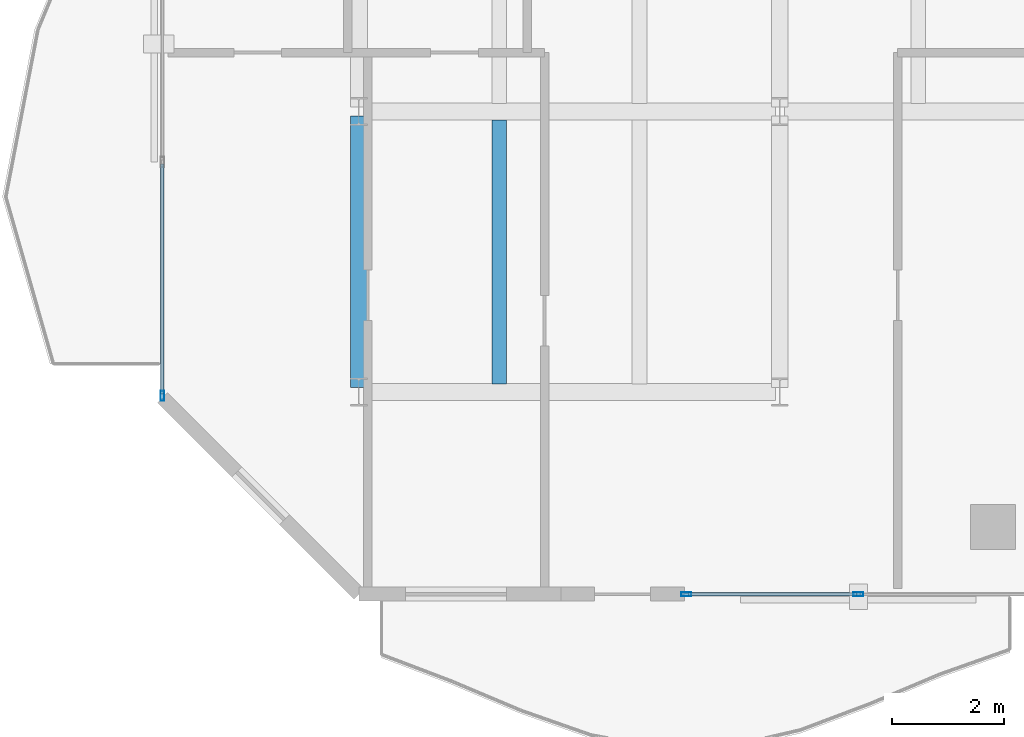
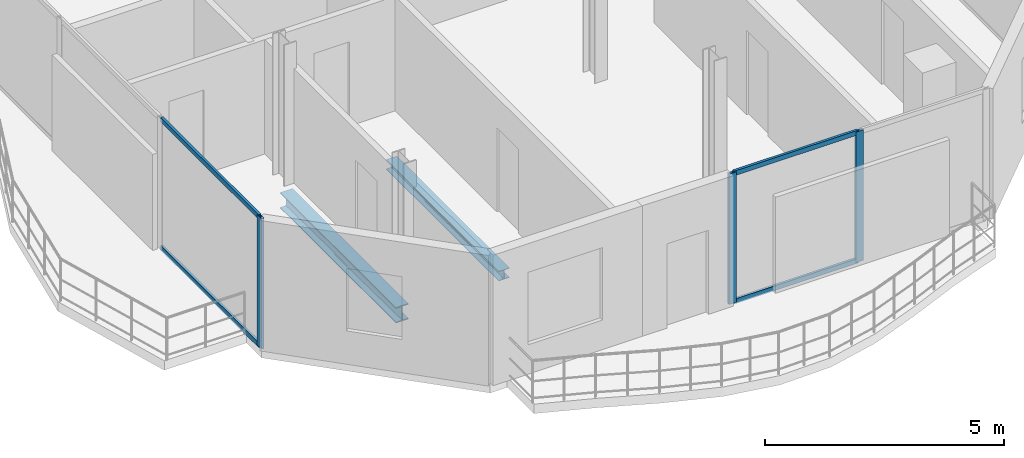
# One storey, part 3 of 23: 7 members, 2 beams, 2 elements without a shape of their own.
"""IFC4 building model written with IfcOpenShell, lengths in metres."""

from ifc_helpers import new_model, si_unit, direction, frame, origin, origin_2d, place, context, subcontext, project, spatial, hollow_rectangle, i_section, extrude, material, layer, layer_set, material_profile, profile_set, type_object, element, aggregate, save


model = new_model("IFC4")

# Units and contexts
model_context = context("Model", 3, precision=1e-05, world=origin(), true_north=direction((0.0, 1.0)))
body_context = subcontext(model_context, "Body", "Model", "MODEL_VIEW")
ifc_project = project(units=[si_unit("LENGTHUNIT", "METRE"), si_unit("AREAUNIT", "SQUARE_METRE"), si_unit("VOLUMEUNIT", "CUBIC_METRE"), si_unit("PLANEANGLEUNIT", "RADIAN"), si_unit("MASSUNIT", "GRAM", prefix="KILO")], contexts=[model_context])

# Site, building, storey
site_placement = place(None, origin())
site = spatial("IfcSite", under=ifc_project, at=site_placement, CompositionType="ELEMENT")
building_placement = place(site_placement, origin())
building = spatial("IfcBuilding", under=site, at=building_placement, Name="Catumbela Crestline Tower", CompositionType="ELEMENT")
storey_placement = place(building_placement, frame((0.0, 0.0, 175.8)))
storey = spatial("IfcBuildingStorey", under=building, at=storey_placement, Name="L45", CompositionType="ELEMENT", Elevation=175.8)

# Beams
ifc_material_1 = material(Name="Structural steel S355J2", Category="steel")
ifc_material_profile_1 = material_profile(ifc_material_1, i_section(OverallWidth=0.3, OverallDepth=0.4, WebThickness=0.0135, FlangeThickness=0.024, FilletRadius=0.027, at=origin_2d()), Name="HEB 400")
ifc_profile_set_1 = profile_set([ifc_material_profile_1], Name="Structural steel S355J2")
beam_type_1 = type_object("IfcBeamType", Name="BG-HEB400", PredefinedType="BEAM", material=ifc_profile_set_1)
beam_1_placement = place(storey_placement, frame((8.5, 8.68, -0.46), z_axis=(0.0, 1.0, 0.0), x_axis=(-1.0, 0.0, 0.0)))
element("IfcBeam", 1, at=beam_1_placement, inside=storey, type_object=beam_type_1, Name="L45 Beam BM-L45-WNS37", PredefinedType="BEAM", context=body_context, shape_type="SweptSolid", body=[
    extrude(i_section(OverallWidth=0.3, OverallDepth=0.4, WebThickness=0.0135, FlangeThickness=0.024, FilletRadius=0.027, at=origin_2d()), origin(), (0.0, 0.0, 1.0), 4.84),
])
ifc_material_profile_2 = material_profile(ifc_material_1, i_section(OverallWidth=0.26, OverallDepth=0.25, WebThickness=0.0075, FlangeThickness=0.0125, FilletRadius=0.024, at=origin_2d()), Name="HEA 260")
ifc_profile_set_2 = profile_set([ifc_material_profile_2], Name="Structural steel S355J2")
beam_type_2 = type_object("IfcBeamType", Name="BJ-HEA260", PredefinedType="JOIST", material=ifc_profile_set_2)
beam_2_placement = place(storey_placement, frame((11.0, 8.747, -0.385), z_axis=(0.0, 1.0, 0.0), x_axis=(-1.0, 0.0, 0.0)))
element("IfcBeam", 2, at=beam_2_placement, inside=storey, type_object=beam_type_2, Name="L45 Joist JS-L45-WG44", PredefinedType="JOIST", context=body_context, shape_type="SweptSolid", body=[
    extrude(i_section(OverallWidth=0.26, OverallDepth=0.25, WebThickness=0.0075, FlangeThickness=0.0125, FilletRadius=0.024, at=origin_2d()), origin(), (0.0, 0.0, 1.0), 4.706),
])

# Curtain wall, members
ifc_material_2 = material(Name="Aluminium alloy AW-6060-T66", Category="aluminium")
ifc_layer = layer(ifc_material_2, 0.18, Name="Aluminium alloy AW-6060-T66")
ifc_layer_set = layer_set([ifc_layer], Name="Aluminium alloy AW-6060-T66")
curtain_wall_type = type_object("IfcCurtainWallType", Name="CWU-Z3", PredefinedType="USERDEFINED", material=ifc_layer_set)
curtain_wall_1_placement = place(storey_placement, origin())
curtain_wall_1 = element("IfcCurtainWall", 3, at=curtain_wall_1_placement, inside=storey, type_object=curtain_wall_type, Name="L45 Unitised Curtain Wall CW-L45-E0S2", ObjectType="UNITISED", PredefinedType="USERDEFINED")
ifc_material_profile_3 = material_profile(ifc_material_2, hollow_rectangle(XDim=0.065, YDim=0.18, WallThickness=0.004, at=origin_2d()), Name="ALU 180x65x4")
ifc_profile_set_3 = profile_set([ifc_material_profile_3], Name="Aluminium alloy AW-6060-T66")
member_type_1 = type_object("IfcMemberType", Name="MUL-180X65", PredefinedType="MULLION", material=ifc_profile_set_3)
member_1_placement = place(storey_placement, frame((14.3325, 5.0, 0.0), z_axis=(0.0, 0.0, 1.0), x_axis=(0.0, 1.0, 0.0)))
member_1 = element("IfcMember", 4, at=member_1_placement, type_object=member_type_1, Name="CWU-Z3 mullion 1", PredefinedType="MULLION", context=body_context, shape_type="SweptSolid", body=[
    extrude(hollow_rectangle(XDim=0.065, YDim=0.18, WallThickness=0.004, at=origin_2d()), origin(), (0.0, 0.0, 1.0), 3.33),
])
member_2_placement = place(storey_placement, frame((17.4, 5.0, 0.0), z_axis=(0.0, 0.0, 1.0), x_axis=(0.0, 1.0, 0.0)))
member_2 = element("IfcMember", 5, at=member_2_placement, type_object=member_type_1, Name="CWU-Z3 mullion 2", PredefinedType="MULLION", context=body_context, shape_type="SweptSolid", body=[
    extrude(hollow_rectangle(XDim=0.065, YDim=0.18, WallThickness=0.004, at=origin_2d()), origin(), (0.0, 0.0, 1.0), 3.33),
])

# Curtain wall, member
curtain_wall_2_placement = place(storey_placement, origin())
curtain_wall_2 = element("IfcCurtainWall", 6, at=curtain_wall_2_placement, inside=storey, type_object=curtain_wall_type, Name="L45 Unitised Curtain Wall CW-L45-E9S2", ObjectType="UNITISED", PredefinedType="USERDEFINED")
member_3_placement = place(storey_placement, frame((5.0, 8.5325, 0.0), z_axis=(0.0, 0.0, 1.0), x_axis=(1.0, 0.0, 0.0)))
member_3 = element("IfcMember", 7, at=member_3_placement, type_object=member_type_1, Name="CWU-Z3 mullion 7", PredefinedType="MULLION", context=body_context, shape_type="SweptSolid", body=[
    extrude(hollow_rectangle(XDim=0.065, YDim=0.18, WallThickness=0.004, at=origin_2d()), origin(), (0.0, 0.0, 1.0), 3.33),
])

# Member
ifc_material_profile_4 = material_profile(ifc_material_2, hollow_rectangle(XDim=0.06, YDim=0.12, WallThickness=0.0035, at=origin_2d()), Name="ALU 120x60x3.5")
ifc_profile_set_4 = profile_set([ifc_material_profile_4], Name="Aluminium alloy AW-6060-T66")
member_type_2 = type_object("IfcMemberType", Name="TRN-120X60", PredefinedType="USERDEFINED", material=ifc_profile_set_4)
member_4_placement = place(storey_placement, frame((14.365, 5.0, 0.03), z_axis=(1.0, 0.0, 0.0), x_axis=(0.0, 1.0, 0.0)))
member_4 = element("IfcMember", 8, at=member_4_placement, type_object=member_type_2, Name="CWU-Z3 transom 1.1", ObjectType="TRANSOM", PredefinedType="USERDEFINED", context=body_context, shape_type="SweptSolid", body=[
    extrude(hollow_rectangle(XDim=0.06, YDim=0.12, WallThickness=0.0035, at=origin_2d()), origin(), (0.0, 0.0, 1.0), 3.0025),
])

member_5_placement = place(storey_placement, frame((14.365, 5.0, 3.3), z_axis=(1.0, 0.0, 0.0), x_axis=(0.0, 1.0, 0.0)))
member_5 = element("IfcMember", 9, at=member_5_placement, type_object=member_type_2, Name="CWU-Z3 transom 1.2", ObjectType="TRANSOM", PredefinedType="USERDEFINED", context=body_context, shape_type="SweptSolid", body=[
    extrude(hollow_rectangle(XDim=0.06, YDim=0.12, WallThickness=0.0035, at=origin_2d()), origin(), (0.0, 0.0, 1.0), 3.0025),
])

aggregate(curtain_wall_1, [member_1, member_2, member_4, member_5])

member_6_placement = place(storey_placement, frame((5.0, 12.6675, 0.03), z_axis=(0.0, -1.0, 0.0), x_axis=(1.0, 0.0, 0.0)))
member_6 = element("IfcMember", 10, at=member_6_placement, type_object=member_type_2, Name="CWU-Z3 transom 6.1", ObjectType="TRANSOM", PredefinedType="USERDEFINED", context=body_context, shape_type="SweptSolid", body=[
    extrude(hollow_rectangle(XDim=0.06, YDim=0.12, WallThickness=0.0035, at=origin_2d()), origin(), (0.0, 0.0, 1.0), 4.1025),
])

member_7_placement = place(storey_placement, frame((5.0, 12.6675, 3.3), z_axis=(0.0, -1.0, 0.0), x_axis=(1.0, 0.0, 0.0)))
member_7 = element("IfcMember", 11, at=member_7_placement, type_object=member_type_2, Name="CWU-Z3 transom 6.2", ObjectType="TRANSOM", PredefinedType="USERDEFINED", context=body_context, shape_type="SweptSolid", body=[
    extrude(hollow_rectangle(XDim=0.06, YDim=0.12, WallThickness=0.0035, at=origin_2d()), origin(), (0.0, 0.0, 1.0), 4.1025),
])

aggregate(curtain_wall_2, [member_3, member_6, member_7])

save(model, "model.ifc")
